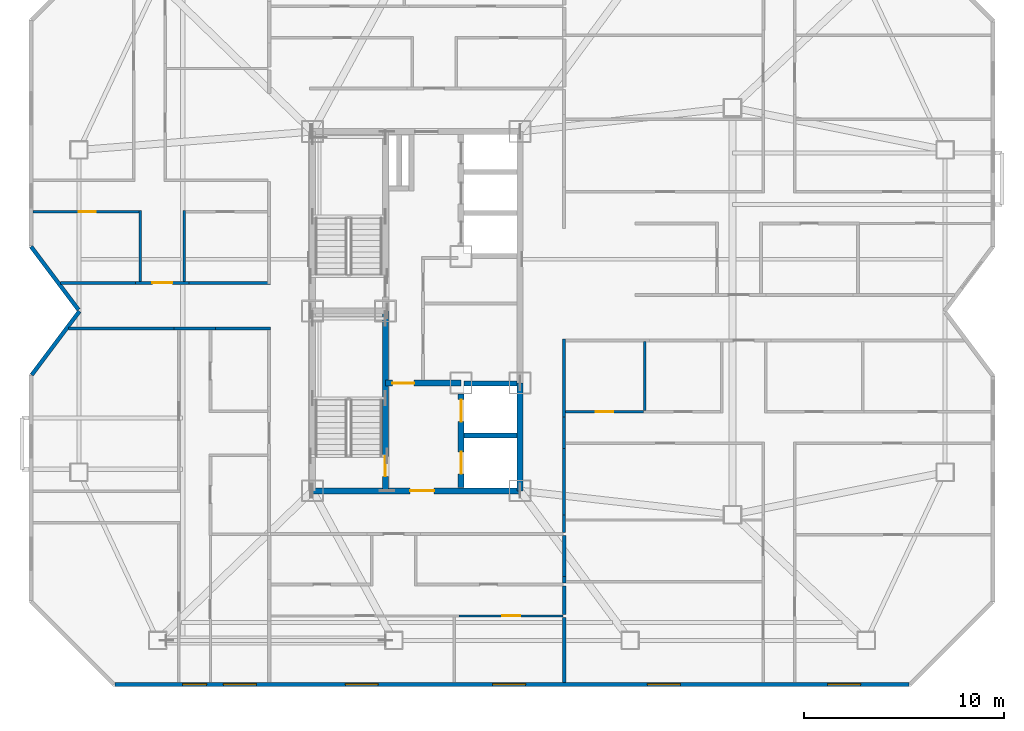
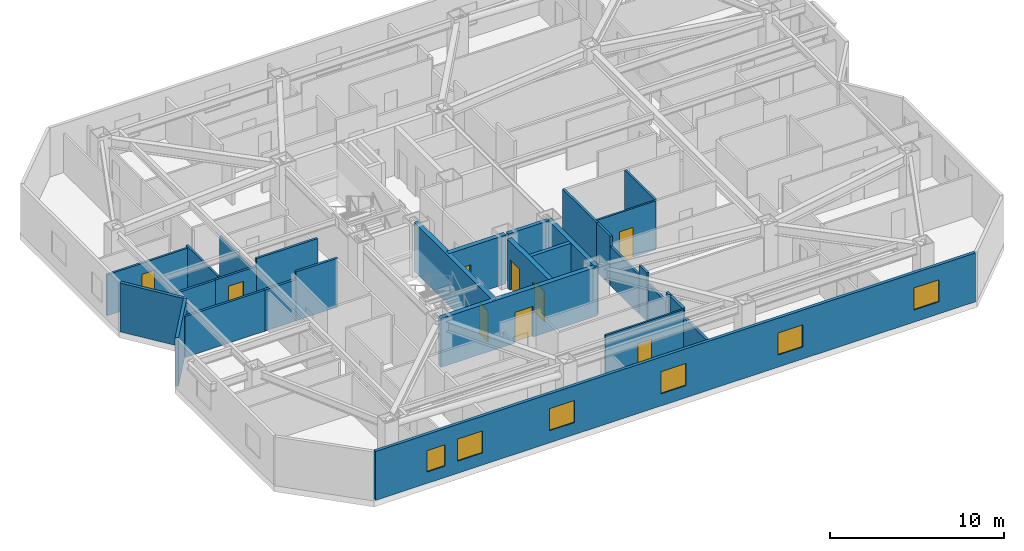
# One storey, part 6 of 11: 30 walls, 9 doors, 6 windows, 15 openings.
"""IFC4 building model written with IfcOpenShell, lengths in metres."""

from ifc_helpers import new_model, si_unit, direction, frame, frame_2d, origin, place, context, subcontext, project, spatial, rectangle, extrude, material, layer, layer_set, type_object, element, fill, save


model = new_model("IFC4")

# Units and contexts
model_context = context("Model", 3, precision=1e-05, world=origin(), true_north=direction((0.0, 1.0)))
body_context = subcontext(model_context, "Body", "Model", "MODEL_VIEW")
ifc_project = project(units=[si_unit("LENGTHUNIT", "METRE"), si_unit("AREAUNIT", "SQUARE_METRE"), si_unit("VOLUMEUNIT", "CUBIC_METRE"), si_unit("PLANEANGLEUNIT", "RADIAN"), si_unit("MASSUNIT", "GRAM", prefix="KILO")], contexts=[model_context])

# Site, building, storey
site_placement = place(None, origin())
site = spatial("IfcSite", under=ifc_project, at=site_placement, CompositionType="ELEMENT")
building_placement = place(site_placement, origin())
building = spatial("IfcBuilding", under=site, at=building_placement, Name="Khamvora Tower", CompositionType="ELEMENT")
storey_placement = place(building_placement, frame((0.0, 0.0, 155.89990234375)))
storey = spatial("IfcBuildingStorey", under=building, at=storey_placement, Name="L39", CompositionType="ELEMENT", Elevation=155.89990234375)

# Wall, opening, door
ifc_material_1 = material(Name="Concrete C50/60", Category="concrete")
ifc_layer_1 = layer(ifc_material_1, 0.300048828125)
ifc_layer_set_1 = layer_set([ifc_layer_1], Name="Concrete C50/60")
wall_type_1 = type_object("IfcWallType", Name="WAL-CORE-300", PredefinedType="SHEAR", material=ifc_layer_set_1)
wall_1_placement = place(storey_placement, frame((29.0, 19.0, 0.0), z_axis=(0.0, 0.0, 1.0), x_axis=(1.0, 0.0, 0.0)))
wall_1 = element("IfcWall", 1, at=wall_1_placement, inside=storey, type_object=wall_type_1, Name="L39 central core south wall", PredefinedType="SHEAR", context=body_context, shape_type="SweptSolid", body=[
    extrude(rectangle(XDim=10.39990234375, YDim=0.300048828125, at=frame_2d((5.199951171875, 0.0))), origin(), (0.0, 0.0, 1.0), 3.43017578125),
])
opening_1_placement = place(wall_1_placement, frame((4.89990234375, 0.0, 0.0)))
opening_1 = element("IfcOpeningElement", 2, at=opening_1_placement, cuts=wall_1, Name="Opening D-CR1", PredefinedType="OPENING", context=body_context, shape_type="SweptSolid", body=[
    extrude(rectangle(XDim=1.199951171875, YDim=2.14990234375, at=frame_2d((0.60009765625, 1.074951171875))), frame((0.0, 0.159912109375, 0.0), z_axis=(0.0, -1.0, 0.0), x_axis=(1.0, 0.0, 0.0)), (0.0, 0.0, 1.0), 0.320068359375),
])
ifc_material_2 = material(Name="Powder-Coated Steel and Hardwood Leaf", Category="steel")
door_type_1 = type_object("IfcDoorType", Name="DOR-CORR-1200", OperationType="NOTDEFINED", PredefinedType="DOOR", material=ifc_material_2)
door_1_placement = place(opening_1_placement, origin())
door_1 = element("IfcDoor", 3, at=door_1_placement, inside=storey, type_object=door_type_1, Name="L39 south core lobby to corridor fire door", OperationType="SINGLE_SWING_RIGHT", OverallHeight=2.14990234375, OverallWidth=1.199951171875, PredefinedType="DOOR", context=body_context, shape_type="SweptSolid", body=[
    extrude(rectangle(XDim=1.199951171875, YDim=2.14990234375, at=frame_2d((0.60009765625, 1.074951171875))), frame((0.0, 0.02490234375, 0.0), z_axis=(0.0, -1.0, 0.0), x_axis=(1.0, 0.0, 0.0)), (0.0, 0.0, 1.0), 0.050048828125),
])
fill(opening_1, door_1)

# Wall
wall_2_placement = place(storey_placement, frame((39.39990234375, 19.0, 0.0), z_axis=(0.0, 0.0, 1.0), x_axis=(0.0, 1.0, 0.0)))
element("IfcWall", 4, at=wall_2_placement, inside=storey, type_object=wall_type_1, Name="L39 central core east south wall", PredefinedType="SHEAR", context=body_context, shape_type="SweptSolid", body=[
    extrude(rectangle(XDim=5.39990234375, YDim=0.300048828125, at=frame_2d((2.699951171875, 0.0))), origin(), (0.0, 0.0, 1.0), 3.43017578125),
])

# Wall, opening, door
wall_3_placement = place(storey_placement, frame((32.64990234375, 19.0, 0.0), z_axis=(0.0, 0.0, 1.0), x_axis=(0.0, 1.0, 0.0)))
wall_3 = element("IfcWall", 5, at=wall_3_placement, inside=storey, type_object=wall_type_1, Name="L39 central core stair south spine wall", PredefinedType="SHEAR", context=body_context, shape_type="SweptSolid", body=[
    extrude(rectangle(XDim=9.0, YDim=0.300048828125, at=frame_2d((4.5, 0.0))), origin(), (0.0, 0.0, 1.0), 3.43017578125),
])
opening_2_placement = place(wall_3_placement, frame((0.719970703125, 0.0, 0.0)))
opening_2 = element("IfcOpeningElement", 6, at=opening_2_placement, cuts=wall_3, Name="Opening D-ST1", PredefinedType="OPENING", context=body_context, shape_type="SweptSolid", body=[
    extrude(rectangle(XDim=1.0, YDim=2.14990234375, at=frame_2d((0.5, 1.074951171875))), frame((0.0, 0.159912109375, 0.0), z_axis=(0.0, -1.0, 0.0), x_axis=(1.0, 0.0, 0.0)), (0.0, 0.0, 1.0), 0.320068359375),
])
door_type_2 = type_object("IfcDoorType", Name="DOR-STAIR-1000", OperationType="NOTDEFINED", PredefinedType="DOOR", material=ifc_material_2)
door_2_placement = place(opening_2_placement, origin())
door_2 = element("IfcDoor", 7, at=door_2_placement, inside=storey, type_object=door_type_2, Name="L39 exit stair ST-01 fire door", OperationType="SINGLE_SWING_RIGHT", OverallHeight=2.14990234375, OverallWidth=1.0, PredefinedType="DOOR", context=body_context, shape_type="SweptSolid", body=[
    extrude(rectangle(XDim=1.0, YDim=2.14990234375, at=frame_2d((0.5, 1.074951171875))), frame((0.0, 0.02490234375, 0.0), z_axis=(0.0, -1.0, 0.0), x_axis=(1.0, 0.0, 0.0)), (0.0, 0.0, 1.0), 0.050048828125),
])
fill(opening_2, door_2)

wall_4_placement = place(storey_placement, frame((32.64990234375, 24.39990234375, 0.0), z_axis=(0.0, 0.0, 1.0), x_axis=(1.0, 0.0, 0.0)))
wall_4 = element("IfcWall", 8, at=wall_4_placement, inside=storey, type_object=wall_type_1, Name="L39 central core firefighting lobby north wall", PredefinedType="SHEAR", context=body_context, shape_type="SweptSolid", body=[
    extrude(rectangle(XDim=3.800048828125, YDim=0.300048828125, at=frame_2d((1.89990234375, 0.0))), origin(), (0.0, 0.0, 1.0), 3.43017578125),
])
opening_3_placement = place(wall_4_placement, frame((0.35009765625, 0.0, 0.0)))
opening_3 = element("IfcOpeningElement", 9, at=opening_3_placement, cuts=wall_4, Name="Opening D-FF1", PredefinedType="OPENING", context=body_context, shape_type="SweptSolid", body=[
    extrude(rectangle(XDim=1.10009765625, YDim=2.14990234375, at=frame_2d((0.550048828125, 1.074951171875))), frame((0.0, 0.159912109375, 0.0), z_axis=(0.0, -1.0, 0.0), x_axis=(1.0, 0.0, 0.0)), (0.0, 0.0, 1.0), 0.320068359375),
])
door_type_3 = type_object("IfcDoorType", Name="DOR-FFLOB-1100", OperationType="NOTDEFINED", PredefinedType="DOOR", material=ifc_material_2)
door_3_placement = place(opening_3_placement, origin())
door_3 = element("IfcDoor", 10, at=door_3_placement, inside=storey, type_object=door_type_3, Name="L39 firefighting lobby smoke-seal fire door", OperationType="SINGLE_SWING_LEFT", OverallHeight=2.14990234375, OverallWidth=1.10009765625, PredefinedType="DOOR", context=body_context, shape_type="SweptSolid", body=[
    extrude(rectangle(XDim=1.10009765625, YDim=2.14990234375, at=frame_2d((0.550048828125, 1.074951171875))), frame((0.0, 0.02490234375, 0.0), z_axis=(0.0, -1.0, 0.0), x_axis=(1.0, 0.0, 0.0)), (0.0, 0.0, 1.0), 0.050048828125),
])
fill(opening_3, door_3)

# Wall, openings, doors
wall_5_placement = place(storey_placement, frame((36.449951171875, 19.154052734375, 0.0), z_axis=(0.0, 0.0, 1.0), x_axis=(0.0, 1.0, 0.0)))
wall_5 = element("IfcWall", 11, at=wall_5_placement, inside=storey, type_object=wall_type_1, Name="L39 central core lift bank south wall", PredefinedType="SHEAR", context=body_context, shape_type="SweptSolid", body=[
    extrude(rectangle(XDim=4.696044921875, YDim=0.300048828125, at=frame_2d((2.34814453125, 0.0))), origin(), (0.0, 0.0, 1.0), 3.43017578125),
])
opening_4_placement = place(wall_5_placement, frame((0.696044921875, 0.0, 0.0)))
opening_4 = element("IfcOpeningElement", 12, at=opening_4_placement, cuts=wall_5, Name="Opening LD-FFL", PredefinedType="OPENING", context=body_context, shape_type="SweptSolid", body=[
    extrude(rectangle(XDim=1.10009765625, YDim=2.14990234375, at=frame_2d((0.550048828125, 1.074951171875))), frame((0.0, 0.159912109375, 0.0), z_axis=(0.0, -1.0, 0.0), x_axis=(1.0, 0.0, 0.0)), (0.0, 0.0, 1.0), 0.320068359375),
])
opening_5_placement = place(wall_5_placement, frame((3.31591796875, 0.0, 0.0)))
opening_5 = element("IfcOpeningElement", 13, at=opening_5_placement, cuts=wall_5, Name="Opening LD-FFL", PredefinedType="OPENING", context=body_context, shape_type="SweptSolid", body=[
    extrude(rectangle(XDim=1.10009765625, YDim=2.14990234375, at=frame_2d((0.550048828125, 1.074951171875))), frame((0.0, 0.159912109375, 0.0), z_axis=(0.0, -1.0, 0.0), x_axis=(1.0, 0.0, 0.0)), (0.0, 0.0, 1.0), 0.320068359375),
])
door_type_4 = type_object("IfcDoorType", Name="DOR-LIFT-1100", OperationType="SLIDING_TO_LEFT", PredefinedType="DOOR", material=ifc_material_2)
door_4_placement = place(opening_4_placement, origin())
door_4 = element("IfcDoor", 14, at=door_4_placement, inside=storey, type_object=door_type_4, Name="L39 lift landing sliding door FFL-01", OperationType="SLIDING_TO_LEFT", OverallHeight=2.14990234375, OverallWidth=1.10009765625, PredefinedType="DOOR", context=body_context, shape_type="SweptSolid", body=[
    extrude(rectangle(XDim=1.10009765625, YDim=2.14990234375, at=frame_2d((0.550048828125, 1.074951171875))), frame((0.0, 0.02490234375, 0.0), z_axis=(0.0, -1.0, 0.0), x_axis=(1.0, 0.0, 0.0)), (0.0, 0.0, 1.0), 0.050048828125),
])
fill(opening_4, door_4)
door_5_placement = place(opening_5_placement, origin())
door_5 = element("IfcDoor", 15, at=door_5_placement, inside=storey, type_object=door_type_4, Name="L39 lift landing sliding door FFL-02", OperationType="SLIDING_TO_LEFT", OverallHeight=2.14990234375, OverallWidth=1.10009765625, PredefinedType="DOOR", context=body_context, shape_type="SweptSolid", body=[
    extrude(rectangle(XDim=1.10009765625, YDim=2.14990234375, at=frame_2d((0.550048828125, 1.074951171875))), frame((0.0, 0.02490234375, 0.0), z_axis=(0.0, -1.0, 0.0), x_axis=(1.0, 0.0, 0.0)), (0.0, 0.0, 1.0), 0.050048828125),
])
fill(opening_5, door_5)

# Walls
ifc_material_3 = material(Name="Fire-Rated Drywall and Steel Stud", Category="steel")
ifc_layer_2 = layer(ifc_material_3, 0.14990234375)
ifc_layer_set_2 = layer_set([ifc_layer_2], Name="Fire-Rated Drywall and Steel Stud")
wall_type_2 = type_object("IfcWallType", Name="WAL-CORR-150", PredefinedType="STANDARD", material=ifc_layer_set_2)
wall_6_placement = place(storey_placement, frame((24.138916015625, 27.135009765625, 0.0), z_axis=(0.0, 0.0, 1.0), x_axis=(-1.0, 0.0, 0.0)))
element("IfcWall", 16, at=wall_6_placement, inside=storey, type_object=wall_type_2, Name="L39 interior partition wall 006", PredefinedType="STANDARD", context=body_context, shape_type="SweptSolid", body=[
    extrude(rectangle(XDim=2.077880859375, YDim=0.14990234375, at=frame_2d((1.0390625, 0.0))), origin(), (0.0, 0.0, 1.0), 2.88720703125),
])
wall_7_placement = place(storey_placement, frame((26.89794921875, 27.135009765625, 0.0), z_axis=(0.0, 0.0, 1.0), x_axis=(-1.0, 0.0, 0.0)))
element("IfcWall", 17, at=wall_7_placement, inside=storey, type_object=wall_type_2, Name="L39 interior partition wall 009", PredefinedType="STANDARD", context=body_context, shape_type="SweptSolid", body=[
    extrude(rectangle(XDim=2.759033203125, YDim=0.14990234375, at=frame_2d((1.37939453125, 0.0))), origin(), (0.0, 0.0, 1.0), 3.43017578125),
])
wall_8_placement = place(storey_placement, frame((22.06103515625, 27.135009765625, 0.0), z_axis=(0.0, 0.0, 1.0), x_axis=(-1.0, 0.0, 0.0)))
element("IfcWall", 18, at=wall_8_placement, inside=storey, type_object=wall_type_2, Name="L39 interior partition wall 010", PredefinedType="STANDARD", context=body_context, shape_type="SweptSolid", body=[
    extrude(rectangle(XDim=5.281005859375, YDim=0.14990234375, at=frame_2d((2.640625, 0.0))), origin(), (0.0, 0.0, 1.0), 2.8759765625),
])

# Wall, opening, door
wall_9_placement = place(storey_placement, frame((20.1259765625, 29.4150390625, 0.0), z_axis=(0.0, 0.0, 1.0), x_axis=(1.0, 0.0, 0.0)))
wall_9 = element("IfcWall", 19, at=wall_9_placement, inside=storey, type_object=wall_type_2, Name="L39 interior partition wall 011", PredefinedType="STANDARD", context=body_context, shape_type="SweptSolid", body=[
    extrude(rectangle(XDim=2.698974609375, YDim=0.14990234375, at=frame_2d((1.349609375, 0.0))), origin(), (0.0, 0.0, 1.0), 2.88720703125),
])
opening_6_placement = place(wall_9_placement, frame((0.85009765625, 0.0, 0.0)))
opening_6 = element("IfcOpeningElement", 20, at=opening_6_placement, cuts=wall_9, Name="Opening D-U1", PredefinedType="OPENING", context=body_context, shape_type="SweptSolid", body=[
    extrude(rectangle(XDim=1.0, YDim=2.14990234375, at=frame_2d((0.5, 1.074951171875))), frame((0.0, 0.0849609375, 0.0), z_axis=(0.0, -1.0, 0.0), x_axis=(1.0, 0.0, 0.0)), (0.0, 0.0, 1.0), 0.169921875),
])
door_type_5 = type_object("IfcDoorType", Name="DOR-UNIT-1000", OperationType="NOTDEFINED", PredefinedType="DOOR", material=ifc_material_2)
door_6_placement = place(opening_6_placement, origin())
door_6 = element("IfcDoor", 21, at=door_6_placement, inside=storey, type_object=door_type_5, Name="L39 interior door COR-39WBH", OperationType="SINGLE_SWING_LEFT", OverallHeight=2.14990234375, OverallWidth=1.0, PredefinedType="DOOR", context=body_context, shape_type="SweptSolid", body=[
    extrude(rectangle(XDim=1.0, YDim=2.14990234375, at=frame_2d((0.5, 1.074951171875))), frame((0.0, 0.02490234375, 0.0), z_axis=(0.0, -1.0, 0.0), x_axis=(1.0, 0.0, 0.0)), (0.0, 0.0, 1.0), 0.050048828125),
])
fill(opening_6, door_6)

# Walls
wall_10_placement = place(storey_placement, frame((22.824951171875, 29.4150390625, 0.0), z_axis=(0.0, 0.0, 1.0), x_axis=(1.0, 0.0, 0.0)))
element("IfcWall", 22, at=wall_10_placement, inside=storey, type_object=wall_type_2, Name="L39 interior partition wall 013", PredefinedType="STANDARD", context=body_context, shape_type="SweptSolid", body=[
    extrude(rectangle(XDim=4.074951171875, YDim=0.14990234375, at=frame_2d((2.03759765625, 0.0))), origin(), (0.0, 0.0, 1.0), 3.43017578125),
])
wall_11_placement = place(storey_placement, frame((16.367919921875, 29.4150390625, 0.0), z_axis=(0.0, 0.0, 1.0), x_axis=(1.0, 0.0, 0.0)))
element("IfcWall", 23, at=wall_11_placement, inside=storey, type_object=wall_type_2, Name="L39 interior partition wall 015", PredefinedType="STANDARD", context=body_context, shape_type="SweptSolid", body=[
    extrude(rectangle(XDim=3.758056640625, YDim=0.14990234375, at=frame_2d((1.87890625, 0.0))), origin(), (0.0, 0.0, 1.0), 2.8759765625),
])
wall_12_placement = place(storey_placement, frame((41.614990234375, 26.60009765625, 0.0), z_axis=(0.0, 0.0, 1.0), x_axis=(0.0, -1.0, 0.0)))
element("IfcWall", 24, at=wall_12_placement, inside=storey, type_object=wall_type_2, Name="L39 interior partition wall 023", PredefinedType="STANDARD", context=body_context, shape_type="SweptSolid", body=[
    extrude(rectangle(XDim=3.89404296875, YDim=0.14990234375, at=frame_2d((1.947021484375, 0.0))), origin(), (0.0, 0.0, 1.0), 3.43017578125),
])
wall_13_placement = place(storey_placement, frame((41.614990234375, 22.7060546875, 0.0), z_axis=(0.0, 0.0, 1.0), x_axis=(0.0, -1.0, 0.0)))
element("IfcWall", 25, at=wall_13_placement, inside=storey, type_object=wall_type_2, Name="L39 interior partition wall 026", PredefinedType="STANDARD", context=body_context, shape_type="SweptSolid", body=[
    extrude(rectangle(XDim=1.580078125, YDim=0.14990234375, at=frame_2d((0.7900390625, 0.0))), origin(), (0.0, 0.0, 1.0), 3.43017578125),
])
wall_14_placement = place(storey_placement, frame((41.614990234375, 17.785888671875, 0.0), z_axis=(0.0, 0.0, 1.0), x_axis=(0.0, -1.0, 0.0)))
element("IfcWall", 26, at=wall_14_placement, inside=storey, type_object=wall_type_2, Name="L39 interior partition wall 029", PredefinedType="STANDARD", context=body_context, shape_type="SweptSolid", body=[
    extrude(rectangle(XDim=0.885986328125, YDim=0.14990234375, at=frame_2d((0.44287109375, 0.0))), origin(), (0.0, 0.0, 1.0), 3.43017578125),
])
wall_15_placement = place(storey_placement, frame((41.614990234375, 21.1259765625, 0.0), z_axis=(0.0, 0.0, 1.0), x_axis=(0.0, -1.0, 0.0)))
element("IfcWall", 27, at=wall_15_placement, inside=storey, type_object=wall_type_2, Name="L39 interior partition wall 030", PredefinedType="STANDARD", context=body_context, shape_type="SweptSolid", body=[
    extrude(rectangle(XDim=3.340087890625, YDim=0.14990234375, at=frame_2d((1.669921875, 0.0))), origin(), (0.0, 0.0, 1.0), 2.72509765625),
])
ifc_material_4 = material(Name="Acoustic Double-Stud Fire Wall", Category="gypsum")
ifc_layer_3 = layer(ifc_material_4, 0.179931640625)
ifc_layer_set_3 = layer_set([ifc_layer_3], Name="Acoustic Double-Stud Fire Wall")
wall_type_3 = type_object("IfcWallType", Name="WAL-CORR-180", PredefinedType="STANDARD", material=ifc_layer_set_3)
wall_16_placement = place(storey_placement, frame((41.614990234375, 14.239990234375, 0.0), z_axis=(0.0, 0.0, 1.0), x_axis=(0.0, -1.0, 0.0)))
element("IfcWall", 28, at=wall_16_placement, inside=storey, type_object=wall_type_3, Name="L39 interior partition wall 071", PredefinedType="STANDARD", context=body_context, shape_type="SweptSolid", body=[
    extrude(rectangle(XDim=1.449951171875, YDim=0.179931640625, at=frame_2d((0.72509765625, 0.0))), origin(), (0.0, 0.0, 1.0), 3.43017578125),
])
wall_17_placement = place(storey_placement, frame((41.614990234375, 14.693115234375, 0.0), z_axis=(0.0, 0.0, 1.0), x_axis=(0.0, -1.0, 0.0)))
element("IfcWall", 29, at=wall_17_placement, inside=storey, type_object=wall_type_3, Name="L39 interior partition wall 072", PredefinedType="STANDARD", context=body_context, shape_type="SweptSolid", body=[
    extrude(rectangle(XDim=0.322998046875, YDim=0.179931640625, at=frame_2d((0.16162109375, 0.0))), origin(), (0.0, 0.0, 1.0), 3.43017578125),
])
wall_18_placement = place(storey_placement, frame((41.614990234375, 16.77001953125, 0.0), z_axis=(0.0, 0.0, 1.0), x_axis=(0.0, -1.0, 0.0)))
element("IfcWall", 30, at=wall_18_placement, inside=storey, type_object=wall_type_3, Name="L39 interior partition wall 073", PredefinedType="STANDARD", context=body_context, shape_type="SweptSolid", body=[
    extrude(rectangle(XDim=2.076904296875, YDim=0.179931640625, at=frame_2d((1.03857421875, 0.0))), origin(), (0.0, 0.0, 1.0), 2.72509765625),
])
wall_19_placement = place(storey_placement, frame((41.614990234375, 12.659912109375, 0.0), z_axis=(0.0, 0.0, 1.0), x_axis=(0.0, -1.0, 0.0)))
element("IfcWall", 31, at=wall_19_placement, inside=storey, type_object=wall_type_3, Name="L39 interior partition wall 075", PredefinedType="STANDARD", context=body_context, shape_type="SweptSolid", body=[
    extrude(rectangle(XDim=3.267822265625, YDim=0.179931640625, at=frame_2d((1.6337890625, 0.0))), origin(), (0.0, 0.0, 1.0), 2.8759765625),
])
ifc_material_5 = material(Name="Precast concrete C40/50", Category="concrete")
ifc_layer_4 = layer(ifc_material_5, 0.199951171875)
ifc_layer_set_4 = layer_set([ifc_layer_4], Name="Precast concrete C40/50")
wall_type_4 = type_object("IfcWallType", Name="WAL-EXT-200", PredefinedType="STANDARD", material=ifc_layer_set_4)
wall_20_placement = place(storey_placement, frame((14.929931640625, 24.806884765625, 0.0), z_axis=(0.0, 0.0, 1.0), x_axis=(0.600029358831, 0.799977980035, 0.0)))
element("IfcWall", 32, at=wall_20_placement, inside=storey, type_object=wall_type_4, Name="L39 exterior facade wall 03.1", PredefinedType="STANDARD", context=body_context, shape_type="SweptSolid", body=[
    extrude(rectangle(XDim=3.991455078125, YDim=0.199951171875, at=frame_2d((1.99560546875, 0.0))), origin(), (0.0, 0.0, 1.0), 3.43017578125),
])
wall_21_placement = place(storey_placement, frame((17.27294921875, 28.069091796875, 0.0), z_axis=(0.0, 0.0, 1.0), x_axis=(-0.600029630681, 0.799977776132, 0.0)))
element("IfcWall", 33, at=wall_21_placement, inside=storey, type_object=wall_type_4, Name="L39 exterior facade wall 04.1", PredefinedType="STANDARD", context=body_context, shape_type="SweptSolid", body=[
    extrude(rectangle(XDim=3.954833984375, YDim=0.199951171875, at=frame_2d((1.9775390625, 0.0))), origin(), (0.0, 0.0, 1.0), 3.43017578125),
])

# Wall, openings, windows
wall_22_placement = place(storey_placement, frame((58.89599609375, 9.300048828125, 0.0), z_axis=(0.0, 0.0, 1.0), x_axis=(-1.0, 0.0, 0.0)))
wall_22 = element("IfcWall", 34, at=wall_22_placement, inside=storey, type_object=wall_type_4, Name="L39 exterior facade wall 14.1", PredefinedType="STANDARD", context=body_context, shape_type="SweptSolid", body=[
    extrude(rectangle(XDim=39.79296875, YDim=0.199951171875, at=frame_2d((19.896484375, 0.0))), origin(), (0.0, 0.0, 1.0), 3.43017578125),
])
opening_7_placement = place(wall_22_placement, frame((32.7080078125, 0.0, 0.85009765625)))
opening_7 = element("IfcOpeningElement", 35, at=opening_7_placement, cuts=wall_22, Name="Opening WN-06", PredefinedType="OPENING", context=body_context, shape_type="SweptSolid", body=[
    extrude(rectangle(XDim=1.64990234375, YDim=1.550048828125, at=frame_2d((0.824951171875, 0.77490234375))), frame((0.0, 0.10986328125, 0.0), z_axis=(0.0, -1.0, 0.0), x_axis=(1.0, 0.0, 0.0)), (0.0, 0.0, 1.0), 0.219970703125),
])
opening_8_placement = place(wall_22_placement, frame((35.196044921875, 0.0, 0.800048828125)))
opening_8 = element("IfcOpeningElement", 36, at=opening_8_placement, cuts=wall_22, Name="Opening WN-03", PredefinedType="OPENING", context=body_context, shape_type="SweptSolid", body=[
    extrude(rectangle(XDim=1.199951171875, YDim=1.5, at=frame_2d((0.60009765625, 0.75))), frame((0.0, 0.10986328125, 0.0), z_axis=(0.0, -1.0, 0.0), x_axis=(1.0, 0.0, 0.0)), (0.0, 0.0, 1.0), 0.219970703125),
])
opening_9_placement = place(wall_22_placement, frame((26.60205078125, 0.0, 0.85009765625)))
opening_9 = element("IfcOpeningElement", 37, at=opening_9_placement, cuts=wall_22, Name="Opening WN-06", PredefinedType="OPENING", context=body_context, shape_type="SweptSolid", body=[
    extrude(rectangle(XDim=1.64990234375, YDim=1.550048828125, at=frame_2d((0.824951171875, 0.77490234375))), frame((0.0, 0.10986328125, 0.0), z_axis=(0.0, -1.0, 0.0), x_axis=(1.0, 0.0, 0.0)), (0.0, 0.0, 1.0), 0.219970703125),
])
opening_10_placement = place(wall_22_placement, frame((19.2119140625, 0.0, 0.85009765625)))
opening_10 = element("IfcOpeningElement", 38, at=opening_10_placement, cuts=wall_22, Name="Opening WN-06", PredefinedType="OPENING", context=body_context, shape_type="SweptSolid", body=[
    extrude(rectangle(XDim=1.64990234375, YDim=1.550048828125, at=frame_2d((0.824951171875, 0.77490234375))), frame((0.0, 0.10986328125, 0.0), z_axis=(0.0, -1.0, 0.0), x_axis=(1.0, 0.0, 0.0)), (0.0, 0.0, 1.0), 0.219970703125),
])
opening_11_placement = place(wall_22_placement, frame((11.462890625, 0.0, 0.85009765625)))
opening_11 = element("IfcOpeningElement", 39, at=opening_11_placement, cuts=wall_22, Name="Opening WN-06", PredefinedType="OPENING", context=body_context, shape_type="SweptSolid", body=[
    extrude(rectangle(XDim=1.64990234375, YDim=1.550048828125, at=frame_2d((0.824951171875, 0.77490234375))), frame((0.0, 0.10986328125, 0.0), z_axis=(0.0, -1.0, 0.0), x_axis=(1.0, 0.0, 0.0)), (0.0, 0.0, 1.0), 0.219970703125),
])
opening_12_placement = place(wall_22_placement, frame((2.429931640625, 0.0, 0.85009765625)))
opening_12 = element("IfcOpeningElement", 40, at=opening_12_placement, cuts=wall_22, Name="Opening WN-06", PredefinedType="OPENING", context=body_context, shape_type="SweptSolid", body=[
    extrude(rectangle(XDim=1.64990234375, YDim=1.550048828125, at=frame_2d((0.824951171875, 0.77490234375))), frame((0.0, 0.10986328125, 0.0), z_axis=(0.0, -1.0, 0.0), x_axis=(1.0, 0.0, 0.0)), (0.0, 0.0, 1.0), 0.219970703125),
])
ifc_material_6 = material(Name="Low-E Laminated Double Glazing", Category="glass")
window_type_1 = type_object("IfcWindowType", Name="WIN-VIS-1200x1500", PartitioningType="SINGLE_PANEL", PredefinedType="WINDOW", material=ifc_material_6)
window_1_placement = place(opening_8_placement, origin())
window_1 = element("IfcWindow", 41, at=window_1_placement, inside=storey, type_object=window_type_1, Name="L39 vision window 14.1.02", OverallHeight=1.5, OverallWidth=1.199951171875, PartitioningType="SINGLE_PANEL", PredefinedType="WINDOW", context=body_context, shape_type="SweptSolid", body=[
    extrude(rectangle(XDim=1.199951171875, YDim=1.5, at=frame_2d((0.60009765625, 0.75))), frame((0.0, 0.030029296875, 0.0), z_axis=(0.0, -1.0, 0.0), x_axis=(1.0, 0.0, 0.0)), (0.0, 0.0, 1.0), 0.06005859375),
])
fill(opening_8, window_1)
window_type_2 = type_object("IfcWindowType", Name="WIN-VIS-1650x1550", PartitioningType="SINGLE_PANEL", PredefinedType="WINDOW", material=ifc_material_6)
window_2_placement = place(opening_7_placement, origin())
window_2 = element("IfcWindow", 42, at=window_2_placement, inside=storey, type_object=window_type_2, Name="L39 vision window 14.1.01", OverallHeight=1.550048828125, OverallWidth=1.64990234375, PartitioningType="SINGLE_PANEL", PredefinedType="WINDOW", context=body_context, shape_type="SweptSolid", body=[
    extrude(rectangle(XDim=1.64990234375, YDim=1.550048828125, at=frame_2d((0.824951171875, 0.77490234375))), frame((0.0, 0.030029296875, 0.0), z_axis=(0.0, -1.0, 0.0), x_axis=(1.0, 0.0, 0.0)), (0.0, 0.0, 1.0), 0.06005859375),
])
fill(opening_7, window_2)
window_3_placement = place(opening_9_placement, origin())
window_3 = element("IfcWindow", 43, at=window_3_placement, inside=storey, type_object=window_type_2, Name="L39 vision window 14.1.03", OverallHeight=1.550048828125, OverallWidth=1.64990234375, PartitioningType="SINGLE_PANEL", PredefinedType="WINDOW", context=body_context, shape_type="SweptSolid", body=[
    extrude(rectangle(XDim=1.64990234375, YDim=1.550048828125, at=frame_2d((0.824951171875, 0.77490234375))), frame((0.0, 0.030029296875, 0.0), z_axis=(0.0, -1.0, 0.0), x_axis=(1.0, 0.0, 0.0)), (0.0, 0.0, 1.0), 0.06005859375),
])
fill(opening_9, window_3)
window_4_placement = place(opening_10_placement, origin())
window_4 = element("IfcWindow", 44, at=window_4_placement, inside=storey, type_object=window_type_2, Name="L39 vision window 14.1.04", OverallHeight=1.550048828125, OverallWidth=1.64990234375, PartitioningType="SINGLE_PANEL", PredefinedType="WINDOW", context=body_context, shape_type="SweptSolid", body=[
    extrude(rectangle(XDim=1.64990234375, YDim=1.550048828125, at=frame_2d((0.824951171875, 0.77490234375))), frame((0.0, 0.030029296875, 0.0), z_axis=(0.0, -1.0, 0.0), x_axis=(1.0, 0.0, 0.0)), (0.0, 0.0, 1.0), 0.06005859375),
])
fill(opening_10, window_4)
window_5_placement = place(opening_11_placement, origin())
window_5 = element("IfcWindow", 45, at=window_5_placement, inside=storey, type_object=window_type_2, Name="L39 vision window 14.1.05", OverallHeight=1.550048828125, OverallWidth=1.64990234375, PartitioningType="SINGLE_PANEL", PredefinedType="WINDOW", context=body_context, shape_type="SweptSolid", body=[
    extrude(rectangle(XDim=1.64990234375, YDim=1.550048828125, at=frame_2d((0.824951171875, 0.77490234375))), frame((0.0, 0.030029296875, 0.0), z_axis=(0.0, -1.0, 0.0), x_axis=(1.0, 0.0, 0.0)), (0.0, 0.0, 1.0), 0.06005859375),
])
fill(opening_11, window_5)
window_6_placement = place(opening_12_placement, origin())
window_6 = element("IfcWindow", 46, at=window_6_placement, inside=storey, type_object=window_type_2, Name="L39 vision window 14.1.06", OverallHeight=1.550048828125, OverallWidth=1.64990234375, PartitioningType="SINGLE_PANEL", PredefinedType="WINDOW", context=body_context, shape_type="SweptSolid", body=[
    extrude(rectangle(XDim=1.64990234375, YDim=1.550048828125, at=frame_2d((0.824951171875, 0.77490234375))), frame((0.0, 0.030029296875, 0.0), z_axis=(0.0, -1.0, 0.0), x_axis=(1.0, 0.0, 0.0)), (0.0, 0.0, 1.0), 0.06005859375),
])
fill(opening_12, window_6)

# Wall, opening, door
ifc_material_7 = material(Name="Gypsum Plasterboard Partition", Category="gypsum")
ifc_layer_5 = layer(ifc_material_7, 0.1201171875)
ifc_layer_set_5 = layer_set([ifc_layer_5], Name="Gypsum Plasterboard Partition")
wall_type_5 = type_object("IfcWallType", Name="WAL-PART-120", PredefinedType="PARTITIONING", material=ifc_layer_set_5)
wall_23_placement = place(storey_placement, frame((41.550048828125, 12.72509765625, 0.0), z_axis=(0.0, 0.0, 1.0), x_axis=(-1.0, 0.0, 0.0)))
wall_23 = element("IfcWall", 47, at=wall_23_placement, inside=storey, type_object=wall_type_5, Name="L39 interior partition wall 070", PredefinedType="PARTITIONING", context=body_context, shape_type="SweptSolid", body=[
    extrude(rectangle(XDim=5.197021484375, YDim=0.1201171875, at=frame_2d((2.5986328125, 0.0))), origin(), (0.0, 0.0, 1.0), 3.43017578125),
])
opening_13_placement = place(wall_23_placement, frame((2.14794921875, 0.0, 0.0)))
opening_13 = element("IfcOpeningElement", 48, at=opening_13_placement, cuts=wall_23, Name="Opening D-RM1", PredefinedType="OPENING", context=body_context, shape_type="SweptSolid", body=[
    extrude(rectangle(XDim=0.89990234375, YDim=2.10009765625, at=frame_2d((0.449951171875, 1.050048828125))), frame((0.0, 0.070068359375, 0.0), z_axis=(0.0, -1.0, 0.0), x_axis=(1.0, 0.0, 0.0)), (0.0, 0.0, 1.0), 0.14013671875),
])
door_type_6 = type_object("IfcDoorType", Name="DOR-ROOM-900", OperationType="NOTDEFINED", PredefinedType="DOOR", material=ifc_material_2)
door_7_placement = place(opening_13_placement, origin())
door_7 = element("IfcDoor", 49, at=door_7_placement, inside=storey, type_object=door_type_6, Name="L39 interior door 39SAH-39SAR2", OperationType="SINGLE_SWING_LEFT", OverallHeight=2.10009765625, OverallWidth=0.89990234375, PredefinedType="DOOR", context=body_context, shape_type="SweptSolid", body=[
    extrude(rectangle(XDim=0.89990234375, YDim=2.10009765625, at=frame_2d((0.449951171875, 1.050048828125))), frame((0.0, 0.02490234375, 0.0), z_axis=(0.0, -1.0, 0.0), x_axis=(1.0, 0.0, 0.0)), (0.0, 0.0, 1.0), 0.050048828125),
])
fill(opening_13, door_7)

wall_24_placement = place(storey_placement, frame((45.587890625, 22.955078125, 0.0), z_axis=(0.0, 0.0, 1.0), x_axis=(-1.0, 0.0, 0.0)))
wall_24 = element("IfcWall", 50, at=wall_24_placement, inside=storey, type_object=wall_type_5, Name="L39 interior partition wall 087", PredefinedType="PARTITIONING", context=body_context, shape_type="SweptSolid", body=[
    extrude(rectangle(XDim=3.906005859375, YDim=0.1201171875, at=frame_2d((1.953125, 0.0))), origin(), (0.0, 0.0, 1.0), 3.43017578125),
])
opening_14_placement = place(wall_24_placement, frame((1.5029296875, 0.0, 0.0)))
opening_14 = element("IfcOpeningElement", 51, at=opening_14_placement, cuts=wall_24, Name="Opening D-RM1", PredefinedType="OPENING", context=body_context, shape_type="SweptSolid", body=[
    extrude(rectangle(XDim=0.89990234375, YDim=2.10009765625, at=frame_2d((0.449951171875, 1.050048828125))), frame((0.0, 0.070068359375, 0.0), z_axis=(0.0, -1.0, 0.0), x_axis=(1.0, 0.0, 0.0)), (0.0, 0.0, 1.0), 0.14013671875),
])
door_8_placement = place(opening_14_placement, origin())
door_8 = element("IfcDoor", 52, at=door_8_placement, inside=storey, type_object=door_type_6, Name="L39 interior door 39EAW1-39EAH", OperationType="SINGLE_SWING_RIGHT", OverallHeight=2.10009765625, OverallWidth=0.89990234375, PredefinedType="DOOR", context=body_context, shape_type="SweptSolid", body=[
    extrude(rectangle(XDim=0.89990234375, YDim=2.10009765625, at=frame_2d((0.449951171875, 1.050048828125))), frame((0.0, 0.02490234375, 0.0), z_axis=(0.0, -1.0, 0.0), x_axis=(1.0, 0.0, 0.0)), (0.0, 0.0, 1.0), 0.050048828125),
])
fill(opening_14, door_8)

# Walls
ifc_material_8 = material(Name="Concrete C40/50", Category="concrete")
ifc_layer_6 = layer(ifc_material_8, 0.25)
ifc_layer_set_6 = layer_set([ifc_layer_6], Name="Concrete C40/50")
wall_type_6 = type_object("IfcWallType", Name="WAL-PODS-250", PredefinedType="SHEAR", material=ifc_layer_set_6)
for number, where, z_axis, x_axis, name in (
    (53, (36.60400390625, 21.77490234375, 0.0), (0.0, 0.0, 1.0), (1.0, 0.0, 0.0), "L39 lift shaft divider wall FFL-01"),
    (54, (36.60400390625, 24.375, 0.0), (0.0, 0.0, 1.0), (1.0, 0.0, 0.0), "L39 lift shaft divider wall FFL-02"),
):
    element("IfcWall", number, at=place(storey_placement, frame(where, z_axis=z_axis, x_axis=x_axis)), inside=storey, type_object=wall_type_6, Name=name, PredefinedType="SHEAR", context=body_context, shape_type="SweptSolid", body=[
        extrude(rectangle(XDim=2.64208984375, YDim=0.25, at=frame_2d((1.321044921875, 0.0))), origin(), (0.0, 0.0, 1.0), 3.43017578125),
    ])
ifc_material_9 = material(Name="Moisture-Resistant Plasterboard Partition", Category="gypsum")
ifc_layer_7 = layer(ifc_material_9, 0.135009765625)
ifc_layer_set_7 = layer_set([ifc_layer_7], Name="Moisture-Resistant Plasterboard Partition")
wall_type_7 = type_object("IfcWallType", Name="WAL-WET-135", PredefinedType="PARTITIONING", material=ifc_layer_set_7)
wall_25_placement = place(storey_placement, frame((22.575927734375, 33.048095703125, 0.0), z_axis=(0.0, 0.0, 1.0), x_axis=(0.0, -1.0, 0.0)))
element("IfcWall", 55, at=wall_25_placement, inside=storey, type_object=wall_type_7, Name="L39 interior partition wall 052", PredefinedType="PARTITIONING", context=body_context, shape_type="SweptSolid", body=[
    extrude(rectangle(XDim=3.568115234375, YDim=0.135009765625, at=frame_2d((1.7841796875, 0.0))), origin(), (0.0, 0.0, 1.0), 2.88720703125),
])
wall_26_placement = place(storey_placement, frame((20.3759765625, 29.47998046875, 0.0), z_axis=(0.0, 0.0, 1.0), x_axis=(0.0, 1.0, 0.0)))
element("IfcWall", 56, at=wall_26_placement, inside=storey, type_object=wall_type_7, Name="L39 interior partition wall 053", PredefinedType="PARTITIONING", context=body_context, shape_type="SweptSolid", body=[
    extrude(rectangle(XDim=3.568115234375, YDim=0.135009765625, at=frame_2d((1.7841796875, 0.0))), origin(), (0.0, 0.0, 1.0), 3.01318359375),
])

# Wall, opening, door
wall_27_placement = place(storey_placement, frame((20.44091796875, 32.98291015625, 0.0), z_axis=(0.0, 0.0, 1.0), x_axis=(-1.0, 0.0, 0.0)))
wall_27 = element("IfcWall", 57, at=wall_27_placement, inside=storey, type_object=wall_type_7, Name="L39 interior partition wall 054", PredefinedType="PARTITIONING", context=body_context, shape_type="SweptSolid", body=[
    extrude(rectangle(XDim=5.448974609375, YDim=0.135009765625, at=frame_2d((2.724609375, 0.0))), origin(), (0.0, 0.0, 1.0), 2.8759765625),
])
opening_15_placement = place(wall_27_placement, frame((2.300048828125, 0.0, 0.0)))
opening_15 = element("IfcOpeningElement", 58, at=opening_15_placement, cuts=wall_27, Name="Opening D-RM2", PredefinedType="OPENING", context=body_context, shape_type="SweptSolid", body=[
    extrude(rectangle(XDim=0.85009765625, YDim=2.10009765625, at=frame_2d((0.425048828125, 1.050048828125))), frame((0.0, 0.077392578125, 0.0), z_axis=(0.0, -1.0, 0.0), x_axis=(1.0, 0.0, 0.0)), (0.0, 0.0, 1.0), 0.155029296875),
])
door_type_7 = type_object("IfcDoorType", Name="DOR-ROOM-850", OperationType="NOTDEFINED", PredefinedType="DOOR", material=ifc_material_2)
door_9_placement = place(opening_15_placement, origin())
door_9 = element("IfcDoor", 59, at=door_9_placement, inside=storey, type_object=door_type_7, Name="L39 interior door 39WBH-39WBK", OperationType="SINGLE_SWING_RIGHT", OverallHeight=2.10009765625, OverallWidth=0.85009765625, PredefinedType="DOOR", context=body_context, shape_type="SweptSolid", body=[
    extrude(rectangle(XDim=0.85009765625, YDim=2.10009765625, at=frame_2d((0.425048828125, 1.050048828125))), frame((0.0, 0.02490234375, 0.0), z_axis=(0.0, -1.0, 0.0), x_axis=(1.0, 0.0, 0.0)), (0.0, 0.0, 1.0), 0.050048828125),
])
fill(opening_15, door_9)

# Wall
wall_28_placement = place(storey_placement, frame((45.653076171875, 26.469970703125, 0.0), z_axis=(0.0, 0.0, 1.0), x_axis=(0.0, -1.0, 0.0)))
element("IfcWall", 60, at=wall_28_placement, inside=storey, type_object=wall_type_7, Name="L39 interior partition wall 088", PredefinedType="PARTITIONING", context=body_context, shape_type="SweptSolid", body=[
    extrude(rectangle(XDim=3.449951171875, YDim=0.135009765625, at=frame_2d((1.72509765625, 0.0))), origin(), (0.0, 0.0, 1.0), 3.43017578125),
])

save(model, "model.ifc")
